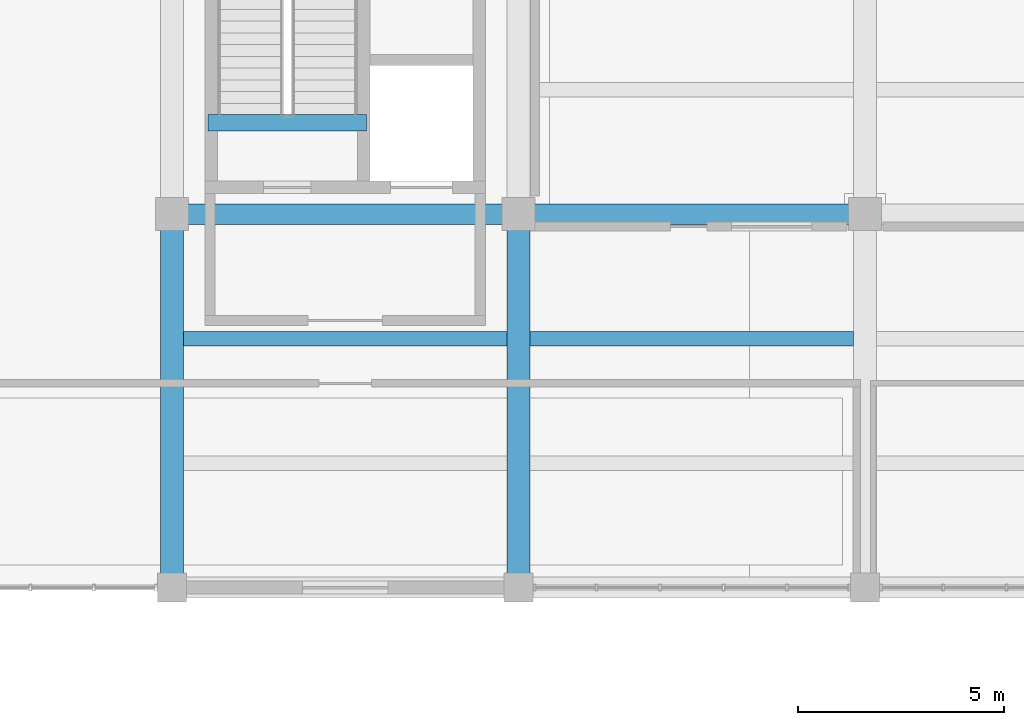
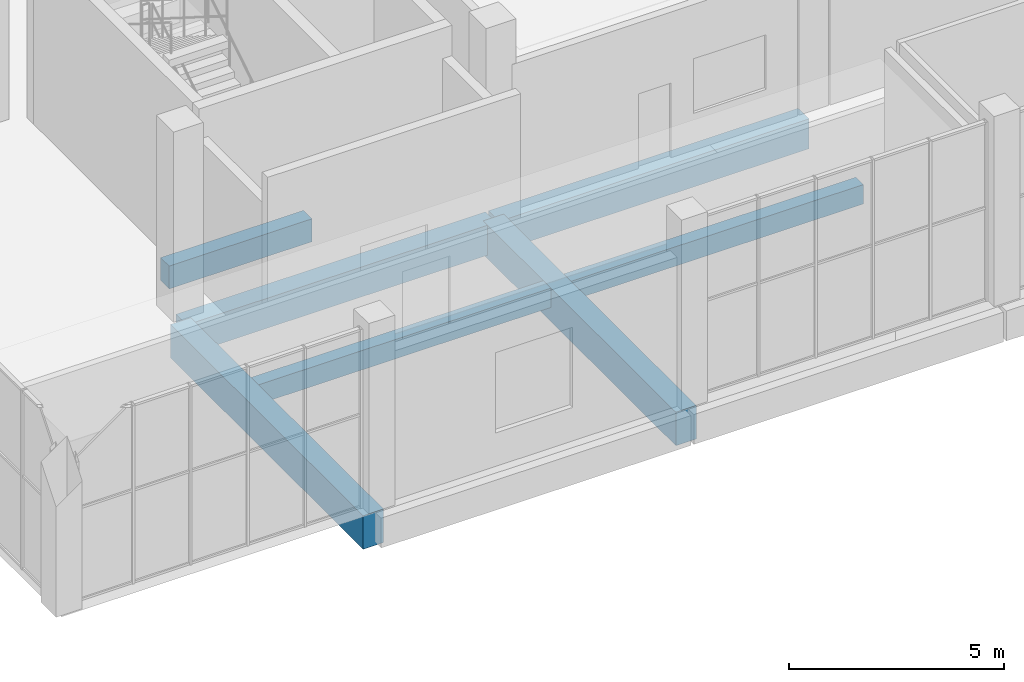
# One storey, part 47 of 91: 7 beams.
"""IFC4 building model written with IfcOpenShell, lengths in metres."""

from ifc_helpers import new_model, si_unit, direction, frame, origin, origin_2d, place, context, subcontext, project, spatial, rectangle, extrude, material, material_profile, profile_set, type_object, element, save


model = new_model("IFC4")

# Units and contexts
model_context = context("Model", 3, precision=1e-05, world=origin(), true_north=direction((0.0, 1.0)))
body_context = subcontext(model_context, "Body", "Model", "MODEL_VIEW")
ifc_project = project(units=[si_unit("LENGTHUNIT", "METRE"), si_unit("AREAUNIT", "SQUARE_METRE"), si_unit("VOLUMEUNIT", "CUBIC_METRE"), si_unit("PLANEANGLEUNIT", "RADIAN"), si_unit("MASSUNIT", "GRAM", prefix="KILO")], contexts=[model_context])

# Site, building, storey
site_placement = place(None, origin())
site = spatial("IfcSite", under=ifc_project, at=site_placement, CompositionType="ELEMENT")
building_placement = place(site_placement, origin())
building = spatial("IfcBuilding", under=site, at=building_placement, Name="Khurvash Pelagic Aquarium", CompositionType="ELEMENT")
storey_placement = place(building_placement, origin())
storey = spatial("IfcBuildingStorey", under=building, at=storey_placement, Name="L00", CompositionType="ELEMENT", Elevation=0.0)

# Beams
ifc_material_1 = material(Name="Concrete C40/50", Category="concrete")
ifc_material_profile_1 = material_profile(ifc_material_1, rectangle(XDim=0.550048828125, YDim=0.949951171875, at=origin_2d()), Name="RC550X950")
ifc_profile_set_1 = profile_set([ifc_material_profile_1], Name="Concrete C40/50")
beam_type_1 = type_object("IfcBeamType", Name="BM-02", PredefinedType="BEAM", material=ifc_profile_set_1)
for number, where, z_axis, x_axis, name in (
    (1, (67.199951171875, 84.090087890625, -0.794921875), (0.0, 1.0, 0.0), (-1.0, 0.0, 0.0), "L00 Primary Girder BM-02 00109"),
    (2, (75.60009765625, 84.090087890625, -0.794921875), (0.0, 1.0, 0.0), (-1.0, 0.0, 0.0), "L00 Primary Girder BM-02 00114"),
):
    element("IfcBeam", number, at=place(storey_placement, frame(where, z_axis=z_axis, x_axis=x_axis)), inside=storey, type_object=beam_type_1, Name=name, PredefinedType="BEAM", context=body_context, shape_type="SweptSolid", body=[
        extrude(rectangle(XDim=0.550048828125, YDim=0.949951171875, at=origin_2d()), origin(), (0.0, 0.0, 1.0), 8.969970703125),
    ])
ifc_material_profile_2 = material_profile(ifc_material_1, rectangle(XDim=0.5, YDim=0.85009765625, at=origin_2d()), Name="RC500X850")
ifc_profile_set_2 = profile_set([ifc_material_profile_2], Name="Concrete C40/50")
beam_type_2 = type_object("IfcBeamType", Name="BM-03", PredefinedType="BEAM", material=ifc_profile_set_2)
for number, where, z_axis, x_axis, name in (
    (3, (67.239990234375, 93.10009765625, -0.7451171875), (1.0, 0.0, 0.0), (0.0, 1.0, 0.0), "L00 Primary Girder BM-03 00063"),
    (4, (75.639892578125, 93.10009765625, -0.7451171875), (1.0, 0.0, 0.0), (0.0, 1.0, 0.0), "L00 Primary Girder BM-03 00064"),
):
    element("IfcBeam", number, at=place(storey_placement, frame(where, z_axis=z_axis, x_axis=x_axis)), inside=storey, type_object=beam_type_2, Name=name, PredefinedType="BEAM", context=body_context, shape_type="SweptSolid", body=[
        extrude(rectangle(XDim=0.5, YDim=0.85009765625, at=origin_2d()), origin(), (0.0, 0.0, 1.0), 8.320068359375),
    ])
ifc_material_2 = material(Name="Concrete C35/45", Category="concrete")
ifc_material_profile_3 = material_profile(ifc_material_2, rectangle(XDim=0.39990234375, YDim=0.64990234375, at=origin_2d()), Name="RC400X650")
ifc_profile_set_3 = profile_set([ifc_material_profile_3], Name="Concrete C35/45")
beam_type_3 = type_object("IfcBeamType", Name="BM-05", PredefinedType="BEAM", material=ifc_profile_set_3)
beam_1_placement = place(storey_placement, frame((68.080078125, 95.320068359375, -0.64501953125), z_axis=(1.0, 0.0, 0.0), x_axis=(0.0, 1.0, 0.0)))
element("IfcBeam", 5, at=beam_1_placement, inside=storey, type_object=beam_type_3, Name="L00 Stair ST-04 Header Trimmer Beam BM-05", PredefinedType="BEAM", context=body_context, shape_type="SweptSolid", body=[
    extrude(rectangle(XDim=0.39990234375, YDim=0.64990234375, at=origin_2d()), origin(), (0.0, 0.0, 1.0), 3.83984375),
])
ifc_material_profile_4 = material_profile(ifc_material_2, rectangle(XDim=0.35009765625, YDim=0.550048828125, at=origin_2d()), Name="RC350X550")
ifc_profile_set_4 = profile_set([ifc_material_profile_4], Name="Concrete C35/45")
beam_type_4 = type_object("IfcBeamType", Name="JS-01", PredefinedType="JOIST", material=ifc_profile_set_4)
beam_2_placement = place(storey_placement, frame((67.47509765625, 90.0830078125, -0.594970703125), z_axis=(1.0, 0.0, 0.0), x_axis=(0.0, 1.0, 0.0)))
element("IfcBeam", 6, at=beam_2_placement, inside=storey, type_object=beam_type_4, Name="L00 Floor Joist JS-01 00198", PredefinedType="JOIST", context=body_context, shape_type="SweptSolid", body=[
    extrude(rectangle(XDim=0.35009765625, YDim=0.550048828125, at=origin_2d()), origin(), (0.0, 0.0, 1.0), 7.849853515625),
])
beam_3_placement = place(storey_placement, frame((75.875, 90.0830078125, -0.594970703125), z_axis=(1.0, 0.0, 0.0), x_axis=(0.0, 1.0, 0.0)))
element("IfcBeam", 7, at=beam_3_placement, inside=storey, type_object=beam_type_4, Name="L00 Floor Joist JS-01 00206", PredefinedType="JOIST", context=body_context, shape_type="SweptSolid", body=[
    extrude(rectangle(XDim=0.35009765625, YDim=0.550048828125, at=origin_2d()), origin(), (0.0, 0.0, 1.0), 7.85009765625),
])

save(model, "model.ifc")
